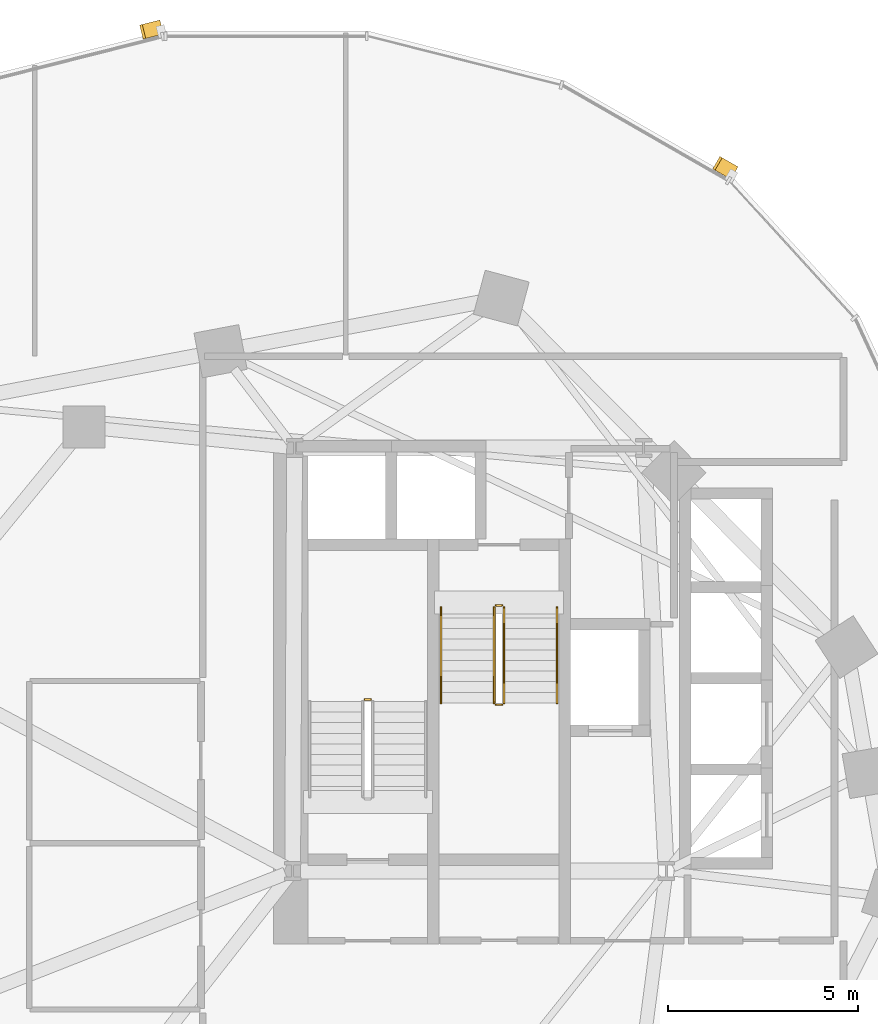
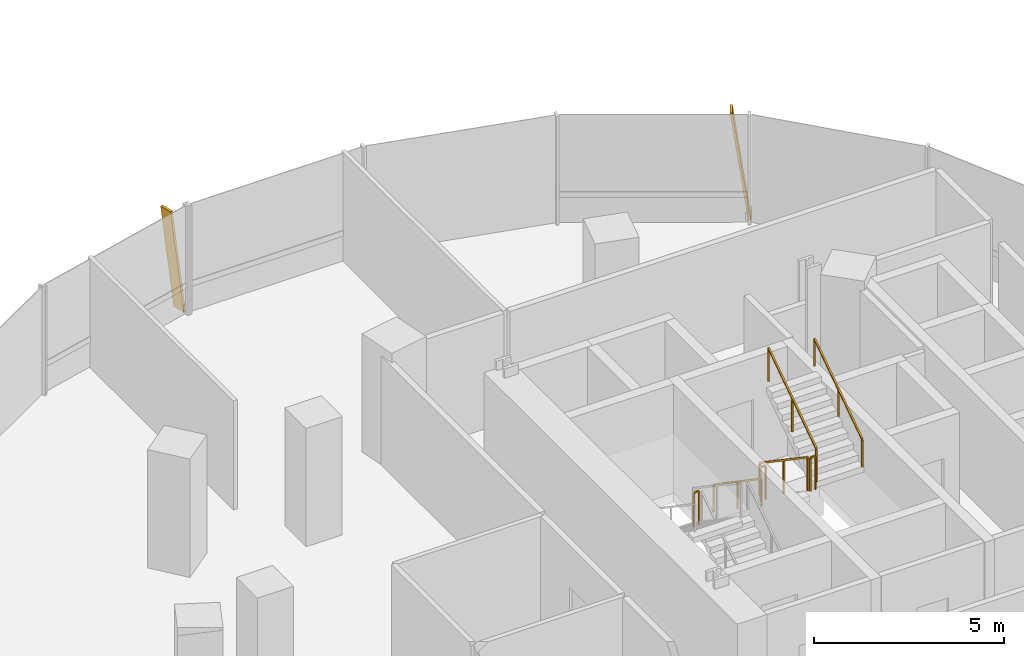
# One storey, part 19 of 21: 7 railings, 2 shading devices.
"""IFC4 building model written with IfcOpenShell, lengths in metres."""

import ifcopenshell
import ifcopenshell.guid

model = None  # the IFC model being written
_history = None  # IfcOwnerHistory: only IFC2X3 demands one
_inside = {}  # id of a spatial element -> (the spatial element, [elements in it])
_under = {}  # id of a project, library or spatial element -> (it, [spatial elements below it])
_declared = {}  # id of a project -> (the project, [libraries it declares])
_typed = {}  # id of a type object -> (the type object, [elements of that type])
_made_of = {}  # id of a material, layer set ... -> (it, [elements and type objects made of it])


def new_model(schema):
    """Start an empty IFC model of exactly this schema.

    Asked for "IFC4X3", IfcOpenShell would pick the latest addendum, in which some entities
    have other attributes; the version numbers below select the first issue.
    IFC2X3 requires an IfcOwnerHistory on every rooted entity: one is made here for all.
    """
    global model, _history
    if schema == "IFC4X3":
        model = ifcopenshell.file(schema_version=(4, 3, 0, 0))
    else:
        model = ifcopenshell.file(schema=schema)
    _inside.clear()
    _under.clear()
    _declared.clear()
    _typed.clear()
    _made_of.clear()
    _history = None
    if model.schema == "IFC2X3":
        org = make("IfcOrganization", Name="unknown")
        user = make(
            "IfcPersonAndOrganization",
            ThePerson=make("IfcPerson", FamilyName="unknown"),
            TheOrganization=org,
        )
        app = make(
            "IfcApplication",
            ApplicationDeveloper=org,
            Version="unknown",
            ApplicationFullName="unknown",
            ApplicationIdentifier="unknown",
        )
        _history = make(
            "IfcOwnerHistory",
            OwningUser=user,
            OwningApplication=app,
            ChangeAction="ADDED",
            CreationDate=0,
        )
    return model


def make(cls, **values):
    """One entity of the class cls with the attributes given. An attribute that is None is left unset."""
    return model.create_entity(
        cls, **{name: value for name, value in values.items() if value is not None}
    )


def rooted(cls, **values):
    """An entity with a GlobalId (a new one), such as an element, a storey or a relation."""
    return make(cls, GlobalId=ifcopenshell.guid.new(), OwnerHistory=_history, **values)


def si_unit(unit_type, name, prefix=None):
    """IfcSIUnit, for example si_unit("LENGTHUNIT", "METRE", prefix="MILLI")."""
    return make("IfcSIUnit", UnitType=unit_type, Prefix=prefix, Name=name)


def assignment(units):
    """IfcUnitAssignment: the units of a project."""
    return None if units is None else make("IfcUnitAssignment", Units=units)


def point(xyz):
    """IfcCartesianPoint."""
    return None if xyz is None else make("IfcCartesianPoint", Coordinates=xyz)


def direction(xyz):
    """IfcDirection."""
    return None if xyz is None else make("IfcDirection", DirectionRatios=xyz)


def frame(location, z_axis=None, x_axis=None):
    """IfcAxis2Placement3D, a coordinate frame: its origin and axes. An axis left out is left unset."""
    return make(
        "IfcAxis2Placement3D",
        Location=point(location),
        Axis=direction(z_axis),
        RefDirection=direction(x_axis),
    )


def frame_2d(location, x_axis=None):
    """IfcAxis2Placement2D, a coordinate frame in the plane: its origin and x axis."""
    return make(
        "IfcAxis2Placement2D", Location=point(location), RefDirection=direction(x_axis)
    )


def origin():
    """The frame at (0, 0, 0) with its axes left unset."""
    return frame((0.0, 0.0, 0.0))


def origin_2d():
    """The frame at (0, 0) in the plane with its x axis left unset."""
    return frame_2d((0.0, 0.0))


def place(relative_to, where):
    """IfcLocalPlacement: puts the frame where relative to a parent placement (None: the world)."""
    return make(
        "IfcLocalPlacement", PlacementRelTo=relative_to, RelativePlacement=where
    )


def context(
    kind, dimensions, precision=None, world=None, true_north=None, identifier=None
):
    """IfcGeometricRepresentationContext, for example the 3D "Model" context."""
    return make(
        "IfcGeometricRepresentationContext",
        ContextIdentifier=identifier,
        ContextType=kind,
        CoordinateSpaceDimension=dimensions,
        Precision=precision,
        WorldCoordinateSystem=world,
        TrueNorth=true_north,
    )


def subcontext(parent, identifier, kind, view, scale=None):
    """IfcGeometricRepresentationSubContext, for example "Body" below "Model"."""
    return make(
        "IfcGeometricRepresentationSubContext",
        ContextIdentifier=identifier,
        ContextType=kind,
        ParentContext=parent,
        TargetScale=scale,
        TargetView=view,
    )


def project(units=None, contexts=None):
    """IfcProject with its units and contexts."""
    return rooted(
        "IfcProject",
        Name="project",
        RepresentationContexts=contexts,
        UnitsInContext=assignment(units),
    )


def spatial(cls, under=None, at=None, **own):
    """A site, building, storey or space (cls), placed at a placement, below another one or the project."""
    s = rooted(cls, ObjectPlacement=at, **own)
    if under is not None:
        _under.setdefault(under.id(), (under, []))[1].append(s)
    return s


def profile(cls, at=None, kind="AREA", **sizes):
    """A parametric profile (cls). Its sizes go by their IFC names, for example OverallWidth=200.0."""
    return make(cls, ProfileType=kind, Position=at, **sizes)


def rectangle(**sizes):
    """IfcRectangleProfileDef."""
    return profile("IfcRectangleProfileDef", **sizes)


def extrude(swept, where, along, depth):
    """IfcExtrudedAreaSolid: the profile swept, set in the frame where, extruded along a direction by depth."""
    return make(
        "IfcExtrudedAreaSolid",
        SweptArea=swept,
        Position=where,
        ExtrudedDirection=direction(along),
        Depth=depth,
    )


def shape(context_of_items, identifier, shape_type, items):
    """IfcShapeRepresentation: the items that make up one representation, for example the "Body"."""
    return make(
        "IfcShapeRepresentation",
        ContextOfItems=context_of_items,
        RepresentationIdentifier=identifier,
        RepresentationType=shape_type,
        Items=items,
    )


def material(Name=None, Category=None):
    """IfcMaterial."""
    return make("IfcMaterial", Name=Name, Category=Category)


def material_profile(
    of_material, cross_section, Name=None, Category=None, Priority=None
):
    """IfcMaterialProfile: a cross section and its material."""
    return make(
        "IfcMaterialProfile",
        Name=Name,
        Material=of_material,
        Profile=cross_section,
        Priority=Priority,
        Category=Category,
    )


def profile_set(profiles, Name=None, composite=None):
    """IfcMaterialProfileSet."""
    return make(
        "IfcMaterialProfileSet",
        Name=Name,
        MaterialProfiles=profiles,
        CompositeProfile=composite,
    )


def made_of(thing, what):
    """Note that an element or type object is made of a material, layer set ...; save() writes the relation."""
    if what is not None:
        _made_of.setdefault(what.id(), (what, []))[1].append(thing)
    return thing


def type_object(cls, material=None, **own):
    """A type object (cls), such as IfcWallType, which elements share."""
    return made_of(rooted(cls, **own), material)


def element(
    cls,
    number,
    at=None,
    inside=None,
    cuts=None,
    type_object=None,
    material=None,
    context=None,
    identifier="Body",
    shape_type=None,
    held_by="IfcProductDefinitionShape",
    body=None,
    shapes=None,
    **own,
):
    """One element of the class cls, such as IfcWall. Its Tag is "e" and its number.

    at: its placement. inside: the storey or other place that contains it. cuts: it is an
    opening in that element (IfcRelVoidsElement). A single representation is given by context,
    identifier, shape_type and body (its items); several are given by shapes. held_by: the class
    of the entity that holds the representations. save() writes the other relations.
    """
    e = rooted(cls, Tag="e%d" % number, ObjectPlacement=at, **own)
    if body is not None:
        shapes = [shape(context, identifier, shape_type, body)]
    if shapes is not None:
        e.Representation = make(held_by, Representations=shapes)
    if inside is not None:
        _inside.setdefault(inside.id(), (inside, []))[1].append(e)
    if cuts is not None:
        rooted(
            "IfcRelVoidsElement", RelatingBuildingElement=cuts, RelatedOpeningElement=e
        )
    if type_object is not None:
        _typed.setdefault(type_object.id(), (type_object, []))[1].append(e)
    return made_of(e, material)


def aggregate(whole, parts):
    """IfcRelAggregates: a whole, such as a stair, and the parts it consists of."""
    return rooted("IfcRelAggregates", RelatingObject=whole, RelatedObjects=parts)


def save(model, path):
    """Write the relations noted so far, then the file.

    IfcRelAggregates (storeys below a building ...), IfcRelContainedInSpatialStructure (elements
    in a storey), IfcRelDefinesByType, IfcRelAssociatesMaterial and IfcRelDeclares: one each for
    every whole, place, type object, material and project.
    """
    for whole, parts in _under.values():
        aggregate(whole, parts)
    for where, things in _inside.values():
        rooted(
            "IfcRelContainedInSpatialStructure",
            RelatedElements=things,
            RelatingStructure=where,
        )
    for kind, things in _typed.values():
        rooted("IfcRelDefinesByType", RelatedObjects=things, RelatingType=kind)
    for what, things in _made_of.values():
        rooted("IfcRelAssociatesMaterial", RelatedObjects=things, RelatingMaterial=what)
    for by, libraries in _declared.values():
        rooted("IfcRelDeclares", RelatingContext=by, RelatedDefinitions=libraries)
    model.write(path)


model = new_model("IFC4")

# Units and contexts
model_context = context("Model", 3, precision=1e-05, world=origin(), true_north=direction((0.0, 1.0)))
body_context = subcontext(model_context, "Body", "Model", "MODEL_VIEW")
ifc_project = project(units=[si_unit("LENGTHUNIT", "METRE"), si_unit("AREAUNIT", "SQUARE_METRE"), si_unit("VOLUMEUNIT", "CUBIC_METRE"), si_unit("PLANEANGLEUNIT", "RADIAN"), si_unit("MASSUNIT", "GRAM", prefix="KILO"), si_unit("THERMODYNAMICTEMPERATUREUNIT", "KELVIN"), si_unit("POWERUNIT", "WATT")], contexts=[model_context])

# Site, building, storey
site_placement = place(None, origin())
site = spatial("IfcSite", under=ifc_project, at=site_placement, CompositionType="ELEMENT")
building_placement = place(site_placement, origin())
building = spatial("IfcBuilding", under=site, at=building_placement, Name="Cundina Bronze Exchange", CompositionType="ELEMENT")
storey_placement = place(building_placement, frame((0.0, 0.0, 69.60009765625)))
storey = spatial("IfcBuildingStorey", under=building, at=storey_placement, Name="L17", CompositionType="ELEMENT", Elevation=69.60009765625)

# Railings
ifc_material_1 = material(Name="Steel ASTM A36 Painted", Category="steel")
railing_type_1 = type_object("IfcRailingType", Name="RLG-HND-900", PredefinedType="HANDRAIL", material=ifc_material_1)
railing_1_placement = place(storey_placement, frame((-27.389892578125, 10.85009765625, 0.18994140625)))
element("IfcRailing", 1, at=railing_1_placement, inside=storey, type_object=railing_type_1, Name="L17 ST-W2 stair handrail 1", PredefinedType="HANDRAIL", context=body_context, shape_type="SweptSolid", body=[
    extrude(rectangle(XDim=0.048095703125, YDim=0.048095703125, at=origin_2d()), frame((0.0, 0.0, 0.8759765625), z_axis=(0.0, -0.827483756001, 0.561489655786), x_axis=(1.0, 0.0, 0.0)), (0.0, 0.0, 1.0), 3.04541015625),
    extrude(rectangle(XDim=0.0419921875, YDim=0.0419921875, at=origin_2d()), origin(), (0.0, 0.0, 1.0), 0.851806640625),
    extrude(rectangle(XDim=0.0419921875, YDim=0.0419921875, at=origin_2d()), frame((0.0, -1.260009765625, 0.85498046875)), (0.0, 0.0, 1.0), 0.851806640625),
    extrude(rectangle(XDim=0.0419921875, YDim=0.0419921875, at=origin_2d()), frame((0.0, -2.52001953125, 1.7099609375)), (0.0, 0.0, 1.0), 0.851806640625),
])
railing_2_placement = place(storey_placement, frame((-24.330078125, 8.330078125, 2.08984375)))
element("IfcRailing", 2, at=railing_2_placement, inside=storey, type_object=railing_type_1, Name="L17 ST-W2 stair handrail 2", PredefinedType="HANDRAIL", context=body_context, shape_type="SweptSolid", body=[
    extrude(rectangle(XDim=0.048095703125, YDim=0.048095703125, at=origin_2d()), frame((0.0, 0.0, 0.8759765625), z_axis=(0.0, 0.827483756001, 0.561489655786), x_axis=(-1.0, 0.0, 0.0)), (0.0, 0.0, 1.0), 3.04541015625),
    extrude(rectangle(XDim=0.0419921875, YDim=0.0419921875, at=origin_2d()), origin(), (0.0, 0.0, 1.0), 0.851806640625),
    extrude(rectangle(XDim=0.0419921875, YDim=0.0419921875, at=origin_2d()), frame((0.0, 1.260009765625, 0.85498046875)), (0.0, 0.0, 1.0), 0.851806640625),
    extrude(rectangle(XDim=0.0419921875, YDim=0.0419921875, at=origin_2d()), frame((0.0, 2.52001953125, 1.7099609375)), (0.0, 0.0, 1.0), 0.851806640625),
])
railing_type_2 = type_object("IfcRailingType", Name="RLG-STG-1100", PredefinedType="GUARDRAIL", material=ifc_material_1)
railing_3_placement = place(storey_placement, frame((-29.239990234375, 8.419921875, 1.89990234375)))
element("IfcRailing", 3, at=railing_3_placement, inside=storey, type_object=railing_type_2, Name="L17 ST-W1 stair guard 2", PredefinedType="GUARDRAIL", context=body_context, shape_type="SweptSolid", body=[
    extrude(rectangle(XDim=0.048095703125, YDim=0.048095703125, at=origin_2d()), frame((0.0, 0.0, 1.076171875), z_axis=(-1.0, 0.0, 0.0), x_axis=(0.0, -1.0, 0.0)), (0.0, 0.0, 1.0), 0.159912109375),
    extrude(rectangle(XDim=0.0419921875, YDim=0.0419921875, at=origin_2d()), origin(), (0.0, 0.0, 1.0), 1.052001953125),
    extrude(rectangle(XDim=0.0419921875, YDim=0.0419921875, at=origin_2d()), frame((-0.159912109375, 0.0, 0.0)), (0.0, 0.0, 1.0), 1.052001953125),
])
railing_4_placement = place(storey_placement, frame((-25.989990234375, 10.85009765625, 0.18994140625)))
element("IfcRailing", 4, at=railing_4_placement, inside=storey, type_object=railing_type_2, Name="L17 ST-W2 stair guard 1", PredefinedType="GUARDRAIL", context=body_context, shape_type="SweptSolid", body=[
    extrude(rectangle(XDim=0.048095703125, YDim=0.048095703125, at=origin_2d()), frame((0.0, 0.0, 1.076171875), z_axis=(0.0, -0.827483756001, 0.561489655786), x_axis=(1.0, 0.0, 0.0)), (0.0, 0.0, 1.0), 3.04541015625),
    extrude(rectangle(XDim=0.0419921875, YDim=0.0419921875, at=origin_2d()), origin(), (0.0, 0.0, 1.0), 1.052001953125),
    extrude(rectangle(XDim=0.0419921875, YDim=0.0419921875, at=origin_2d()), frame((0.0, -1.260009765625, 0.85498046875)), (0.0, 0.0, 1.0), 1.052001953125),
    extrude(rectangle(XDim=0.0419921875, YDim=0.0419921875, at=origin_2d()), frame((0.0, -2.52001953125, 1.7099609375)), (0.0, 0.0, 1.0), 1.052001953125),
])
railing_5_placement = place(storey_placement, frame((-25.93994140625, 8.280029296875, 1.89990234375)))
element("IfcRailing", 5, at=railing_5_placement, inside=storey, type_object=railing_type_2, Name="L17 ST-W2 stair guard 2", PredefinedType="GUARDRAIL", context=body_context, shape_type="SweptSolid", body=[
    extrude(rectangle(XDim=0.048095703125, YDim=0.048095703125, at=origin_2d()), frame((0.0, 0.0, 1.076171875), z_axis=(1.0, 0.0, 0.0), x_axis=(0.0, 1.0, 0.0)), (0.0, 0.0, 1.0), 0.159912109375),
    extrude(rectangle(XDim=0.0419921875, YDim=0.0419921875, at=origin_2d()), origin(), (0.0, 0.0, 1.0), 1.052001953125),
    extrude(rectangle(XDim=0.0419921875, YDim=0.0419921875, at=origin_2d()), frame((0.159912109375, 0.0, 0.0)), (0.0, 0.0, 1.0), 1.052001953125),
])
railing_6_placement = place(storey_placement, frame((-25.72998046875, 8.330078125, 2.08984375)))
element("IfcRailing", 6, at=railing_6_placement, inside=storey, type_object=railing_type_2, Name="L17 ST-W2 stair guard 3", PredefinedType="GUARDRAIL", context=body_context, shape_type="SweptSolid", body=[
    extrude(rectangle(XDim=0.048095703125, YDim=0.048095703125, at=origin_2d()), frame((0.0, 0.0, 1.076171875), z_axis=(0.0, 0.827483756001, 0.561489655786), x_axis=(-1.0, 0.0, 0.0)), (0.0, 0.0, 1.0), 3.04541015625),
    extrude(rectangle(XDim=0.0419921875, YDim=0.0419921875, at=origin_2d()), origin(), (0.0, 0.0, 1.0), 1.052001953125),
    extrude(rectangle(XDim=0.0419921875, YDim=0.0419921875, at=origin_2d()), frame((0.0, 1.260009765625, 0.85498046875)), (0.0, 0.0, 1.0), 1.052001953125),
    extrude(rectangle(XDim=0.0419921875, YDim=0.0419921875, at=origin_2d()), frame((0.0, 2.52001953125, 1.7099609375)), (0.0, 0.0, 1.0), 1.052001953125),
])
railing_7_placement = place(storey_placement, frame((-25.93994140625, 10.89990234375, 0.0)))
element("IfcRailing", 7, at=railing_7_placement, inside=storey, type_object=railing_type_2, Name="L17 ST-W2 stair guard 4", PredefinedType="GUARDRAIL", context=body_context, shape_type="SweptSolid", body=[
    extrude(rectangle(XDim=0.048095703125, YDim=0.048095703125, at=origin_2d()), frame((0.0, 0.0, 1.076171875), z_axis=(1.0, 0.0, 0.0), x_axis=(0.0, 1.0, 0.0)), (0.0, 0.0, 1.0), 0.159912109375),
    extrude(rectangle(XDim=0.0419921875, YDim=0.0419921875, at=origin_2d()), origin(), (0.0, 0.0, 1.0), 1.052001953125),
    extrude(rectangle(XDim=0.0419921875, YDim=0.0419921875, at=origin_2d()), frame((0.159912109375, 0.0, 0.0)), (0.0, 0.0, 1.0), 1.052001953125),
])

# Shading devices
ifc_material_2 = material(Name="Anodised Bronze Aluminium 6063-T6", Category="aluminium")
ifc_material_profile = material_profile(ifc_material_2, rectangle(XDim=0.070068359375, YDim=0.3798828125, at=origin_2d()), Name="FIN70X380", Category="aluminium")
ifc_profile_set = profile_set([ifc_material_profile], Name="Anodised Bronze Aluminium 6063-T6")
shading_device_type = type_object("IfcShadingDeviceType", Name="SHD-FIN-BRZ380", PredefinedType="USERDEFINED", material=ifc_profile_set)
for number, where, z_axis, x_axis, name in (
    (8, (-19.685791015625, 22.314208984375, 0.02001953125), (-0.119166378275, 0.06842456559, 0.990513731915), (0.85898178632, -0.493221799887, 0.137413779831), "L17 Diagonal Bronze Solar Fin 5"),
    (9, (-34.787353515625, 26.138427734375, 0.02001953125), (-0.133214830938, -0.033688115694, 0.990514472221), (0.960284642503, 0.242842181368, 0.137408443412), "L17 Diagonal Bronze Solar Fin 1"),
):
    element("IfcShadingDevice", number, at=place(storey_placement, frame(where, z_axis=z_axis, x_axis=x_axis)), inside=storey, type_object=shading_device_type, Name=name, ObjectType="FIN", PredefinedType="USERDEFINED", context=body_context, shape_type="SweptSolid", body=[
        extrude(rectangle(XDim=0.070068359375, YDim=0.3798828125, at=origin_2d()), origin(), (0.0, 0.0, 1.0), 3.4931640625),
    ])

save(model, "model.ifc")
